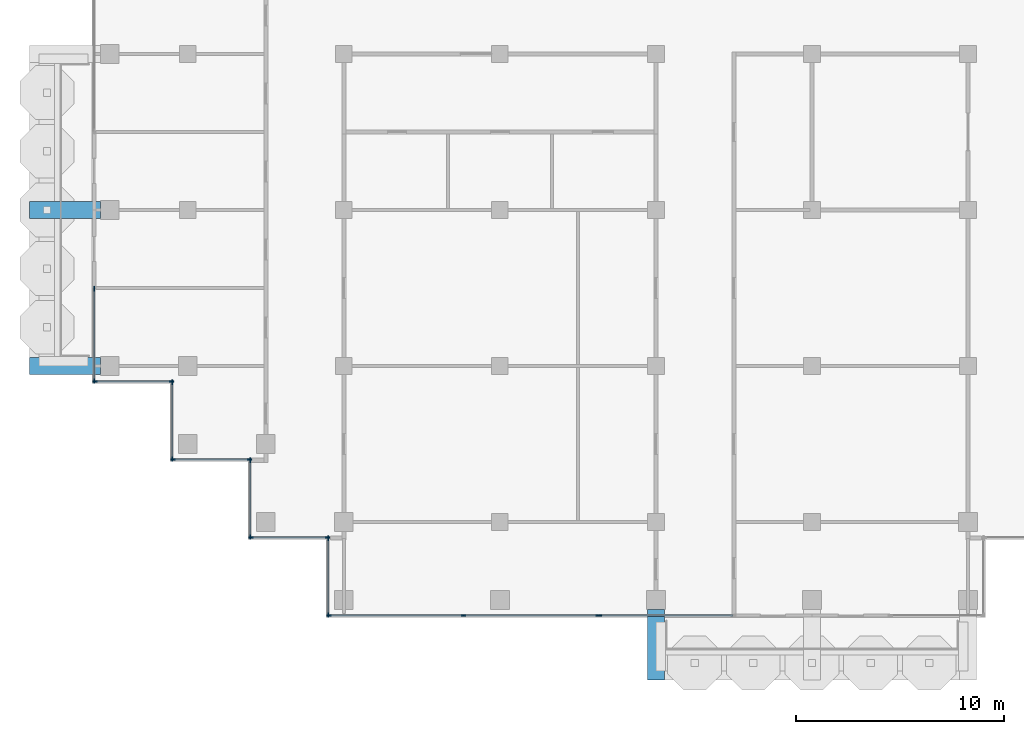
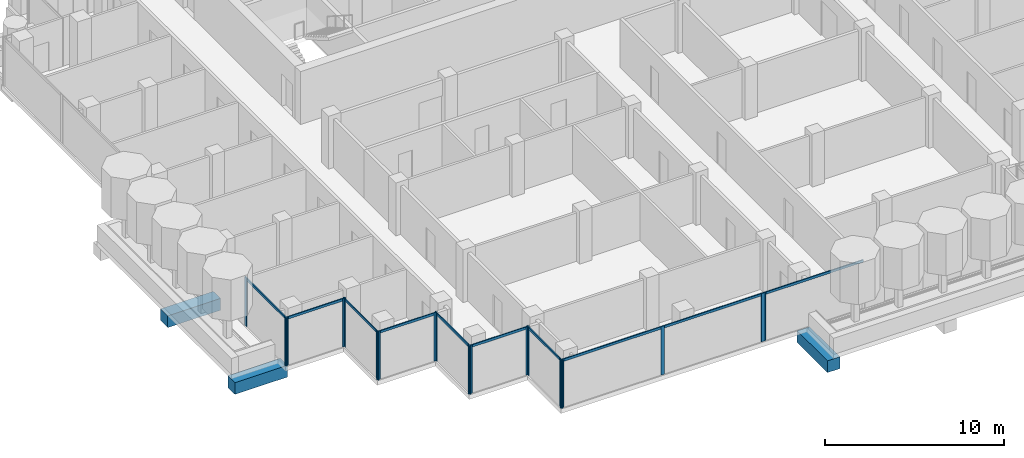
# One storey, part 2 of 19: 28 members, 3 beams, 9 elements without a shape of their own.
"""IFC4 building model written with IfcOpenShell, lengths in metres."""

import ifcopenshell
import ifcopenshell.guid

model = None  # the IFC model being written
_history = None  # IfcOwnerHistory: only IFC2X3 demands one
_inside = {}  # id of a spatial element -> (the spatial element, [elements in it])
_under = {}  # id of a project, library or spatial element -> (it, [spatial elements below it])
_declared = {}  # id of a project -> (the project, [libraries it declares])
_typed = {}  # id of a type object -> (the type object, [elements of that type])
_made_of = {}  # id of a material, layer set ... -> (it, [elements and type objects made of it])


def new_model(schema):
    """Start an empty IFC model of exactly this schema.

    Asked for "IFC4X3", IfcOpenShell would pick the latest addendum, in which some entities
    have other attributes; the version numbers below select the first issue.
    IFC2X3 requires an IfcOwnerHistory on every rooted entity: one is made here for all.
    """
    global model, _history
    if schema == "IFC4X3":
        model = ifcopenshell.file(schema_version=(4, 3, 0, 0))
    else:
        model = ifcopenshell.file(schema=schema)
    _inside.clear()
    _under.clear()
    _declared.clear()
    _typed.clear()
    _made_of.clear()
    _history = None
    if model.schema == "IFC2X3":
        org = make("IfcOrganization", Name="unknown")
        user = make(
            "IfcPersonAndOrganization",
            ThePerson=make("IfcPerson", FamilyName="unknown"),
            TheOrganization=org,
        )
        app = make(
            "IfcApplication",
            ApplicationDeveloper=org,
            Version="unknown",
            ApplicationFullName="unknown",
            ApplicationIdentifier="unknown",
        )
        _history = make(
            "IfcOwnerHistory",
            OwningUser=user,
            OwningApplication=app,
            ChangeAction="ADDED",
            CreationDate=0,
        )
    return model


def make(cls, **values):
    """One entity of the class cls with the attributes given. An attribute that is None is left unset."""
    return model.create_entity(
        cls, **{name: value for name, value in values.items() if value is not None}
    )


def rooted(cls, **values):
    """An entity with a GlobalId (a new one), such as an element, a storey or a relation."""
    return make(cls, GlobalId=ifcopenshell.guid.new(), OwnerHistory=_history, **values)


def si_unit(unit_type, name, prefix=None):
    """IfcSIUnit, for example si_unit("LENGTHUNIT", "METRE", prefix="MILLI")."""
    return make("IfcSIUnit", UnitType=unit_type, Prefix=prefix, Name=name)


def assignment(units):
    """IfcUnitAssignment: the units of a project."""
    return None if units is None else make("IfcUnitAssignment", Units=units)


def point(xyz):
    """IfcCartesianPoint."""
    return None if xyz is None else make("IfcCartesianPoint", Coordinates=xyz)


def direction(xyz):
    """IfcDirection."""
    return None if xyz is None else make("IfcDirection", DirectionRatios=xyz)


def frame(location, z_axis=None, x_axis=None):
    """IfcAxis2Placement3D, a coordinate frame: its origin and axes. An axis left out is left unset."""
    return make(
        "IfcAxis2Placement3D",
        Location=point(location),
        Axis=direction(z_axis),
        RefDirection=direction(x_axis),
    )


def frame_2d(location, x_axis=None):
    """IfcAxis2Placement2D, a coordinate frame in the plane: its origin and x axis."""
    return make(
        "IfcAxis2Placement2D", Location=point(location), RefDirection=direction(x_axis)
    )


def origin():
    """The frame at (0, 0, 0) with its axes left unset."""
    return frame((0.0, 0.0, 0.0))


def origin_2d():
    """The frame at (0, 0) in the plane with its x axis left unset."""
    return frame_2d((0.0, 0.0))


def place(relative_to, where):
    """IfcLocalPlacement: puts the frame where relative to a parent placement (None: the world)."""
    return make(
        "IfcLocalPlacement", PlacementRelTo=relative_to, RelativePlacement=where
    )


def context(
    kind, dimensions, precision=None, world=None, true_north=None, identifier=None
):
    """IfcGeometricRepresentationContext, for example the 3D "Model" context."""
    return make(
        "IfcGeometricRepresentationContext",
        ContextIdentifier=identifier,
        ContextType=kind,
        CoordinateSpaceDimension=dimensions,
        Precision=precision,
        WorldCoordinateSystem=world,
        TrueNorth=true_north,
    )


def subcontext(parent, identifier, kind, view, scale=None):
    """IfcGeometricRepresentationSubContext, for example "Body" below "Model"."""
    return make(
        "IfcGeometricRepresentationSubContext",
        ContextIdentifier=identifier,
        ContextType=kind,
        ParentContext=parent,
        TargetScale=scale,
        TargetView=view,
    )


def project(units=None, contexts=None):
    """IfcProject with its units and contexts."""
    return rooted(
        "IfcProject",
        Name="project",
        RepresentationContexts=contexts,
        UnitsInContext=assignment(units),
    )


def spatial(cls, under=None, at=None, **own):
    """A site, building, storey or space (cls), placed at a placement, below another one or the project."""
    s = rooted(cls, ObjectPlacement=at, **own)
    if under is not None:
        _under.setdefault(under.id(), (under, []))[1].append(s)
    return s


def profile(cls, at=None, kind="AREA", **sizes):
    """A parametric profile (cls). Its sizes go by their IFC names, for example OverallWidth=200.0."""
    return make(cls, ProfileType=kind, Position=at, **sizes)


def rectangle(**sizes):
    """IfcRectangleProfileDef."""
    return profile("IfcRectangleProfileDef", **sizes)


def extrude(swept, where, along, depth):
    """IfcExtrudedAreaSolid: the profile swept, set in the frame where, extruded along a direction by depth."""
    return make(
        "IfcExtrudedAreaSolid",
        SweptArea=swept,
        Position=where,
        ExtrudedDirection=direction(along),
        Depth=depth,
    )


def shape(context_of_items, identifier, shape_type, items):
    """IfcShapeRepresentation: the items that make up one representation, for example the "Body"."""
    return make(
        "IfcShapeRepresentation",
        ContextOfItems=context_of_items,
        RepresentationIdentifier=identifier,
        RepresentationType=shape_type,
        Items=items,
    )


def material(Name=None, Category=None):
    """IfcMaterial."""
    return make("IfcMaterial", Name=Name, Category=Category)


def material_profile(
    of_material, cross_section, Name=None, Category=None, Priority=None
):
    """IfcMaterialProfile: a cross section and its material."""
    return make(
        "IfcMaterialProfile",
        Name=Name,
        Material=of_material,
        Profile=cross_section,
        Priority=Priority,
        Category=Category,
    )


def profile_set(profiles, Name=None, composite=None):
    """IfcMaterialProfileSet."""
    return make(
        "IfcMaterialProfileSet",
        Name=Name,
        MaterialProfiles=profiles,
        CompositeProfile=composite,
    )


def made_of(thing, what):
    """Note that an element or type object is made of a material, layer set ...; save() writes the relation."""
    if what is not None:
        _made_of.setdefault(what.id(), (what, []))[1].append(thing)
    return thing


def type_object(cls, material=None, **own):
    """A type object (cls), such as IfcWallType, which elements share."""
    return made_of(rooted(cls, **own), material)


def element(
    cls,
    number,
    at=None,
    inside=None,
    cuts=None,
    type_object=None,
    material=None,
    context=None,
    identifier="Body",
    shape_type=None,
    held_by="IfcProductDefinitionShape",
    body=None,
    shapes=None,
    **own,
):
    """One element of the class cls, such as IfcWall. Its Tag is "e" and its number.

    at: its placement. inside: the storey or other place that contains it. cuts: it is an
    opening in that element (IfcRelVoidsElement). A single representation is given by context,
    identifier, shape_type and body (its items); several are given by shapes. held_by: the class
    of the entity that holds the representations. save() writes the other relations.
    """
    e = rooted(cls, Tag="e%d" % number, ObjectPlacement=at, **own)
    if body is not None:
        shapes = [shape(context, identifier, shape_type, body)]
    if shapes is not None:
        e.Representation = make(held_by, Representations=shapes)
    if inside is not None:
        _inside.setdefault(inside.id(), (inside, []))[1].append(e)
    if cuts is not None:
        rooted(
            "IfcRelVoidsElement", RelatingBuildingElement=cuts, RelatedOpeningElement=e
        )
    if type_object is not None:
        _typed.setdefault(type_object.id(), (type_object, []))[1].append(e)
    return made_of(e, material)


def aggregate(whole, parts):
    """IfcRelAggregates: a whole, such as a stair, and the parts it consists of."""
    return rooted("IfcRelAggregates", RelatingObject=whole, RelatedObjects=parts)


def save(model, path):
    """Write the relations noted so far, then the file.

    IfcRelAggregates (storeys below a building ...), IfcRelContainedInSpatialStructure (elements
    in a storey), IfcRelDefinesByType, IfcRelAssociatesMaterial and IfcRelDeclares: one each for
    every whole, place, type object, material and project.
    """
    for whole, parts in _under.values():
        aggregate(whole, parts)
    for where, things in _inside.values():
        rooted(
            "IfcRelContainedInSpatialStructure",
            RelatedElements=things,
            RelatingStructure=where,
        )
    for kind, things in _typed.values():
        rooted("IfcRelDefinesByType", RelatedObjects=things, RelatingType=kind)
    for what, things in _made_of.values():
        rooted("IfcRelAssociatesMaterial", RelatedObjects=things, RelatingMaterial=what)
    for by, libraries in _declared.values():
        rooted("IfcRelDeclares", RelatingContext=by, RelatedDefinitions=libraries)
    model.write(path)


model = new_model("IFC4")

# Units and contexts
model_context = context("Model", 3, precision=1e-05, world=origin(), true_north=direction((0.0, 1.0)))
body_context = subcontext(model_context, "Body", "Model", "MODEL_VIEW")
ifc_project = project(units=[si_unit("LENGTHUNIT", "METRE"), si_unit("AREAUNIT", "SQUARE_METRE"), si_unit("VOLUMEUNIT", "CUBIC_METRE"), si_unit("PLANEANGLEUNIT", "RADIAN"), si_unit("MASSUNIT", "GRAM", prefix="KILO")], contexts=[model_context])

# Site, building, storey
site_placement = place(None, origin())
site = spatial("IfcSite", under=ifc_project, at=site_placement, CompositionType="ELEMENT")
building_placement = place(site_placement, origin())
building = spatial("IfcBuilding", under=site, at=building_placement, Name="Pilkhan Gate Tower", CompositionType="ELEMENT")
storey_placement = place(building_placement, frame((0.0, 0.0, 246.300048828125)))
storey = spatial("IfcBuildingStorey", under=building, at=storey_placement, Name="L64", CompositionType="ELEMENT", Elevation=246.300048828125)

# Beams
ifc_material_1 = material(Name="Concrete C50/60", Category="concrete")
ifc_material_profile_1 = material_profile(ifc_material_1, rectangle(XDim=0.800048828125, YDim=0.800048828125, at=origin_2d()), Name="RC 800x800")
ifc_profile_set_1 = profile_set([ifc_material_profile_1], Name="Concrete C50/60")
beam_type = type_object("IfcBeamType", Name="Cantilever beam CB2 RC 800x800 C50/60", PredefinedType="BEAM", material=ifc_profile_set_1)
for number, where, z_axis, x_axis, name in (
    (1, (75.0, 40.800048828125, -0.699951171875), (0.0, -1.0, 0.0), (1.0, 0.0, 0.0), "Balcony beam S.1 L64"),
    (2, (48.300048828125, 52.5, -0.699951171875), (-1.0, 0.0, 0.0), (0.0, -1.0, 0.0), "Balcony beam W.1 L64"),
    (3, (48.300048828125, 60.0, -0.699951171875), (-1.0, 0.0, 0.0), (0.0, -1.0, 0.0), "Balcony beam W.2 L64"),
):
    element("IfcBeam", number, at=place(storey_placement, frame(where, z_axis=z_axis, x_axis=x_axis)), inside=storey, type_object=beam_type, Name=name, PredefinedType="BEAM", context=body_context, shape_type="SweptSolid", body=[
        extrude(rectangle(XDim=0.800048828125, YDim=0.800048828125, at=origin_2d()), origin(), (0.0, 0.0, 1.0), 3.400146484375),
    ])

# Curtain wall, members
ifc_material_2 = material(Name="Pale anodised aluminium, clear low-iron double glazing", Category="aluminium")
curtain_wall_type = type_object("IfcCurtainWallType", Name="Office unitised curtain wall CW-O2", PredefinedType="USERDEFINED", material=ifc_material_2)
curtain_wall_1_placement = place(storey_placement, origin())
curtain_wall_1 = element("IfcCurtainWall", 4, at=curtain_wall_1_placement, inside=storey, type_object=curtain_wall_type, Name="Office unitised curtain wall CW-O2 L64 W", ObjectType="UNITISED CURTAIN WALL", PredefinedType="USERDEFINED")
ifc_material_3 = material(Name="Pale anodised aluminium", Category="aluminium")
ifc_material_profile_2 = material_profile(ifc_material_3, rectangle(XDim=0.06494140625, YDim=0.22509765625, at=origin_2d()), Name="Mullion 225x65")
ifc_profile_set_2 = profile_set([ifc_material_profile_2], Name="Pale anodised aluminium")
member_type_1 = type_object("IfcMemberType", Name="Mullion CW-O2 225x65", PredefinedType="MULLION", material=ifc_profile_set_2)
member_1_placement = place(storey_placement, frame((48.0, 51.782470703125, 0.0), z_axis=(0.0, 0.0, 1.0), x_axis=(-1.0, 0.0, 0.0)))
member_1 = element("IfcMember", 5, at=member_1_placement, type_object=member_type_1, Name="CW-O2 mullion 1", PredefinedType="MULLION", context=body_context, shape_type="SweptSolid", body=[
    extrude(rectangle(XDim=0.06494140625, YDim=0.22509765625, at=origin_2d()), origin(), (0.0, 0.0, 1.0), 3.300048828125),
])
member_2_placement = place(storey_placement, frame((48.0, 56.217529296875, 0.0), z_axis=(0.0, 0.0, 1.0), x_axis=(-1.0, 0.0, 0.0)))
member_2 = element("IfcMember", 6, at=member_2_placement, type_object=member_type_1, Name="CW-O2 mullion 2", PredefinedType="MULLION", context=body_context, shape_type="SweptSolid", body=[
    extrude(rectangle(XDim=0.06494140625, YDim=0.22509765625, at=origin_2d()), origin(), (0.0, 0.0, 1.0), 3.300048828125),
])

curtain_wall_2_placement = place(storey_placement, origin())
curtain_wall_2 = element("IfcCurtainWall", 7, at=curtain_wall_2_placement, inside=storey, type_object=curtain_wall_type, Name="Office unitised curtain wall CW-O2 L64 S", ObjectType="UNITISED CURTAIN WALL", PredefinedType="USERDEFINED")
member_3_placement = place(storey_placement, frame((48.032470703125, 51.75, 0.0), z_axis=(0.0, 0.0, 1.0), x_axis=(0.0, 1.0, 0.0)))
member_3 = element("IfcMember", 8, at=member_3_placement, type_object=member_type_1, Name="CW-O2 mullion 1", PredefinedType="MULLION", context=body_context, shape_type="SweptSolid", body=[
    extrude(rectangle(XDim=0.06494140625, YDim=0.22509765625, at=origin_2d()), origin(), (0.0, 0.0, 1.0), 3.300048828125),
])
member_4_placement = place(storey_placement, frame((51.717529296875, 51.75, 0.0), z_axis=(0.0, 0.0, 1.0), x_axis=(0.0, 1.0, 0.0)))
member_4 = element("IfcMember", 9, at=member_4_placement, type_object=member_type_1, Name="CW-O2 mullion 2", PredefinedType="MULLION", context=body_context, shape_type="SweptSolid", body=[
    extrude(rectangle(XDim=0.06494140625, YDim=0.22509765625, at=origin_2d()), origin(), (0.0, 0.0, 1.0), 3.300048828125),
])

curtain_wall_3_placement = place(storey_placement, origin())
curtain_wall_3 = element("IfcCurtainWall", 10, at=curtain_wall_3_placement, inside=storey, type_object=curtain_wall_type, Name="Office unitised curtain wall CW-O2 L64 W", ObjectType="UNITISED CURTAIN WALL", PredefinedType="USERDEFINED")
member_5_placement = place(storey_placement, frame((51.75, 48.032470703125, 0.0), z_axis=(0.0, 0.0, 1.0), x_axis=(-1.0, 0.0, 0.0)))
member_5 = element("IfcMember", 11, at=member_5_placement, type_object=member_type_1, Name="CW-O2 mullion 1", PredefinedType="MULLION", context=body_context, shape_type="SweptSolid", body=[
    extrude(rectangle(XDim=0.06494140625, YDim=0.22509765625, at=origin_2d()), origin(), (0.0, 0.0, 1.0), 3.300048828125),
])
member_6_placement = place(storey_placement, frame((51.75, 51.717529296875, 0.0), z_axis=(0.0, 0.0, 1.0), x_axis=(-1.0, 0.0, 0.0)))
member_6 = element("IfcMember", 12, at=member_6_placement, type_object=member_type_1, Name="CW-O2 mullion 2", PredefinedType="MULLION", context=body_context, shape_type="SweptSolid", body=[
    extrude(rectangle(XDim=0.06494140625, YDim=0.22509765625, at=origin_2d()), origin(), (0.0, 0.0, 1.0), 3.300048828125),
])

curtain_wall_4_placement = place(storey_placement, origin())
curtain_wall_4 = element("IfcCurtainWall", 13, at=curtain_wall_4_placement, inside=storey, type_object=curtain_wall_type, Name="Office unitised curtain wall CW-O2 L64 S", ObjectType="UNITISED CURTAIN WALL", PredefinedType="USERDEFINED")
member_7_placement = place(storey_placement, frame((51.782470703125, 48.0, 0.0), z_axis=(0.0, 0.0, 1.0), x_axis=(0.0, 1.0, 0.0)))
member_7 = element("IfcMember", 14, at=member_7_placement, type_object=member_type_1, Name="CW-O2 mullion 1", PredefinedType="MULLION", context=body_context, shape_type="SweptSolid", body=[
    extrude(rectangle(XDim=0.06494140625, YDim=0.22509765625, at=origin_2d()), origin(), (0.0, 0.0, 1.0), 3.300048828125),
])
member_8_placement = place(storey_placement, frame((55.467529296875, 48.0, 0.0), z_axis=(0.0, 0.0, 1.0), x_axis=(0.0, 1.0, 0.0)))
member_8 = element("IfcMember", 15, at=member_8_placement, type_object=member_type_1, Name="CW-O2 mullion 2", PredefinedType="MULLION", context=body_context, shape_type="SweptSolid", body=[
    extrude(rectangle(XDim=0.06494140625, YDim=0.22509765625, at=origin_2d()), origin(), (0.0, 0.0, 1.0), 3.300048828125),
])

curtain_wall_5_placement = place(storey_placement, origin())
curtain_wall_5 = element("IfcCurtainWall", 16, at=curtain_wall_5_placement, inside=storey, type_object=curtain_wall_type, Name="Office unitised curtain wall CW-O2 L64 W", ObjectType="UNITISED CURTAIN WALL", PredefinedType="USERDEFINED")
member_9_placement = place(storey_placement, frame((55.5, 44.282470703125, 0.0), z_axis=(0.0, 0.0, 1.0), x_axis=(-1.0, 0.0, 0.0)))
member_9 = element("IfcMember", 17, at=member_9_placement, type_object=member_type_1, Name="CW-O2 mullion 1", PredefinedType="MULLION", context=body_context, shape_type="SweptSolid", body=[
    extrude(rectangle(XDim=0.06494140625, YDim=0.22509765625, at=origin_2d()), origin(), (0.0, 0.0, 1.0), 3.300048828125),
])
member_10_placement = place(storey_placement, frame((55.5, 47.967529296875, 0.0), z_axis=(0.0, 0.0, 1.0), x_axis=(-1.0, 0.0, 0.0)))
member_10 = element("IfcMember", 18, at=member_10_placement, type_object=member_type_1, Name="CW-O2 mullion 2", PredefinedType="MULLION", context=body_context, shape_type="SweptSolid", body=[
    extrude(rectangle(XDim=0.06494140625, YDim=0.22509765625, at=origin_2d()), origin(), (0.0, 0.0, 1.0), 3.300048828125),
])

curtain_wall_6_placement = place(storey_placement, origin())
curtain_wall_6 = element("IfcCurtainWall", 19, at=curtain_wall_6_placement, inside=storey, type_object=curtain_wall_type, Name="Office unitised curtain wall CW-O2 L64 S", ObjectType="UNITISED CURTAIN WALL", PredefinedType="USERDEFINED")
member_11_placement = place(storey_placement, frame((55.532470703125, 44.25, 0.0), z_axis=(0.0, 0.0, 1.0), x_axis=(0.0, 1.0, 0.0)))
member_11 = element("IfcMember", 20, at=member_11_placement, type_object=member_type_1, Name="CW-O2 mullion 1", PredefinedType="MULLION", context=body_context, shape_type="SweptSolid", body=[
    extrude(rectangle(XDim=0.06494140625, YDim=0.22509765625, at=origin_2d()), origin(), (0.0, 0.0, 1.0), 3.300048828125),
])
member_12_placement = place(storey_placement, frame((59.217529296875, 44.25, 0.0), z_axis=(0.0, 0.0, 1.0), x_axis=(0.0, 1.0, 0.0)))
member_12 = element("IfcMember", 21, at=member_12_placement, type_object=member_type_1, Name="CW-O2 mullion 2", PredefinedType="MULLION", context=body_context, shape_type="SweptSolid", body=[
    extrude(rectangle(XDim=0.06494140625, YDim=0.22509765625, at=origin_2d()), origin(), (0.0, 0.0, 1.0), 3.300048828125),
])

curtain_wall_7_placement = place(storey_placement, origin())
curtain_wall_7 = element("IfcCurtainWall", 22, at=curtain_wall_7_placement, inside=storey, type_object=curtain_wall_type, Name="Office unitised curtain wall CW-O2 L64 W", ObjectType="UNITISED CURTAIN WALL", PredefinedType="USERDEFINED")
member_13_placement = place(storey_placement, frame((59.25, 40.532470703125, 0.0), z_axis=(0.0, 0.0, 1.0), x_axis=(-1.0, 0.0, 0.0)))
member_13 = element("IfcMember", 23, at=member_13_placement, type_object=member_type_1, Name="CW-O2 mullion 1", PredefinedType="MULLION", context=body_context, shape_type="SweptSolid", body=[
    extrude(rectangle(XDim=0.06494140625, YDim=0.22509765625, at=origin_2d()), origin(), (0.0, 0.0, 1.0), 3.300048828125),
])
member_14_placement = place(storey_placement, frame((59.25, 44.217529296875, 0.0), z_axis=(0.0, 0.0, 1.0), x_axis=(-1.0, 0.0, 0.0)))
member_14 = element("IfcMember", 24, at=member_14_placement, type_object=member_type_1, Name="CW-O2 mullion 2", PredefinedType="MULLION", context=body_context, shape_type="SweptSolid", body=[
    extrude(rectangle(XDim=0.06494140625, YDim=0.22509765625, at=origin_2d()), origin(), (0.0, 0.0, 1.0), 3.300048828125),
])

curtain_wall_8_placement = place(storey_placement, origin())
curtain_wall_8 = element("IfcCurtainWall", 25, at=curtain_wall_8_placement, inside=storey, type_object=curtain_wall_type, Name="Office unitised curtain wall CW-O2 L64 S", ObjectType="UNITISED CURTAIN WALL", PredefinedType="USERDEFINED")
member_15_placement = place(storey_placement, frame((59.282470703125, 40.5, 0.0), z_axis=(0.0, 0.0, 1.0), x_axis=(0.0, 1.0, 0.0)))
member_15 = element("IfcMember", 26, at=member_15_placement, type_object=member_type_1, Name="CW-O2 mullion 1", PredefinedType="MULLION", context=body_context, shape_type="SweptSolid", body=[
    extrude(rectangle(XDim=0.06494140625, YDim=0.22509765625, at=origin_2d()), origin(), (0.0, 0.0, 1.0), 3.300048828125),
])
member_16_placement = place(storey_placement, frame((65.75, 40.5, 0.0), z_axis=(0.0, 0.0, 1.0), x_axis=(0.0, 1.0, 0.0)))
member_16 = element("IfcMember", 27, at=member_16_placement, type_object=member_type_1, Name="CW-O2 mullion 2", PredefinedType="MULLION", context=body_context, shape_type="SweptSolid", body=[
    extrude(rectangle(XDim=0.06494140625, YDim=0.22509765625, at=origin_2d()), origin(), (0.0, 0.0, 1.0), 3.300048828125),
])
member_17_placement = place(storey_placement, frame((72.217529296875, 40.5, 0.0), z_axis=(0.0, 0.0, 1.0), x_axis=(0.0, 1.0, 0.0)))
member_17 = element("IfcMember", 28, at=member_17_placement, type_object=member_type_1, Name="CW-O2 mullion 3", PredefinedType="MULLION", context=body_context, shape_type="SweptSolid", body=[
    extrude(rectangle(XDim=0.06494140625, YDim=0.22509765625, at=origin_2d()), origin(), (0.0, 0.0, 1.0), 3.300048828125),
])

# Curtain wall, member
curtain_wall_9_placement = place(storey_placement, origin())
curtain_wall_9 = element("IfcCurtainWall", 29, at=curtain_wall_9_placement, inside=storey, type_object=curtain_wall_type, Name="Office unitised curtain wall CW-O2 L64 S", ObjectType="UNITISED CURTAIN WALL", PredefinedType="USERDEFINED")
member_18_placement = place(storey_placement, frame((72.282470703125, 40.5, 0.0), z_axis=(0.0, 0.0, 1.0), x_axis=(0.0, 1.0, 0.0)))
member_18 = element("IfcMember", 30, at=member_18_placement, type_object=member_type_1, Name="CW-O2 mullion 1", PredefinedType="MULLION", context=body_context, shape_type="SweptSolid", body=[
    extrude(rectangle(XDim=0.06494140625, YDim=0.22509765625, at=origin_2d()), origin(), (0.0, 0.0, 1.0), 3.300048828125),
])

# Member
ifc_material_profile_3 = material_profile(ifc_material_3, rectangle(XDim=0.06494140625, YDim=0.1650390625, at=origin_2d()), Name="Transom 165x65")
ifc_profile_set_3 = profile_set([ifc_material_profile_3], Name="Pale anodised aluminium")
member_type_2 = type_object("IfcMemberType", Name="Transom CW-O2 165x65", PredefinedType="USERDEFINED", material=ifc_profile_set_3)
member_19_placement = place(storey_placement, frame((48.0, 51.81494140625, 3.217529296875), z_axis=(0.0, 1.0, 0.0), x_axis=(-1.0, 0.0, 0.0)))
member_19 = element("IfcMember", 31, at=member_19_placement, type_object=member_type_2, Name="CW-O2 transom 1", ObjectType="TRANSOM", PredefinedType="USERDEFINED", context=body_context, shape_type="SweptSolid", body=[
    extrude(rectangle(XDim=0.06494140625, YDim=0.1650390625, at=origin_2d()), origin(), (0.0, 0.0, 1.0), 4.3701171875),
])

aggregate(curtain_wall_1, [member_1, member_2, member_19])

member_20_placement = place(storey_placement, frame((48.06494140625, 51.75, 3.217529296875), z_axis=(1.0, 0.0, 0.0), x_axis=(0.0, 1.0, 0.0)))
member_20 = element("IfcMember", 32, at=member_20_placement, type_object=member_type_2, Name="CW-O2 transom 1", ObjectType="TRANSOM", PredefinedType="USERDEFINED", context=body_context, shape_type="SweptSolid", body=[
    extrude(rectangle(XDim=0.06494140625, YDim=0.1650390625, at=origin_2d()), origin(), (0.0, 0.0, 1.0), 3.6201171875),
])

aggregate(curtain_wall_2, [member_3, member_4, member_20])

member_21_placement = place(storey_placement, frame((51.75, 48.06494140625, 3.217529296875), z_axis=(0.0, 1.0, 0.0), x_axis=(-1.0, 0.0, 0.0)))
member_21 = element("IfcMember", 33, at=member_21_placement, type_object=member_type_2, Name="CW-O2 transom 1", ObjectType="TRANSOM", PredefinedType="USERDEFINED", context=body_context, shape_type="SweptSolid", body=[
    extrude(rectangle(XDim=0.06494140625, YDim=0.1650390625, at=origin_2d()), origin(), (0.0, 0.0, 1.0), 3.6201171875),
])

aggregate(curtain_wall_3, [member_5, member_6, member_21])

member_22_placement = place(storey_placement, frame((51.81494140625, 48.0, 3.217529296875), z_axis=(1.0, 0.0, 0.0), x_axis=(0.0, 1.0, 0.0)))
member_22 = element("IfcMember", 34, at=member_22_placement, type_object=member_type_2, Name="CW-O2 transom 1", ObjectType="TRANSOM", PredefinedType="USERDEFINED", context=body_context, shape_type="SweptSolid", body=[
    extrude(rectangle(XDim=0.06494140625, YDim=0.1650390625, at=origin_2d()), origin(), (0.0, 0.0, 1.0), 3.6201171875),
])

aggregate(curtain_wall_4, [member_7, member_8, member_22])

member_23_placement = place(storey_placement, frame((55.5, 44.31494140625, 3.217529296875), z_axis=(0.0, 1.0, 0.0), x_axis=(-1.0, 0.0, 0.0)))
member_23 = element("IfcMember", 35, at=member_23_placement, type_object=member_type_2, Name="CW-O2 transom 1", ObjectType="TRANSOM", PredefinedType="USERDEFINED", context=body_context, shape_type="SweptSolid", body=[
    extrude(rectangle(XDim=0.06494140625, YDim=0.1650390625, at=origin_2d()), origin(), (0.0, 0.0, 1.0), 3.6201171875),
])

aggregate(curtain_wall_5, [member_9, member_10, member_23])

member_24_placement = place(storey_placement, frame((55.56494140625, 44.25, 3.217529296875), z_axis=(1.0, 0.0, 0.0), x_axis=(0.0, 1.0, 0.0)))
member_24 = element("IfcMember", 36, at=member_24_placement, type_object=member_type_2, Name="CW-O2 transom 1", ObjectType="TRANSOM", PredefinedType="USERDEFINED", context=body_context, shape_type="SweptSolid", body=[
    extrude(rectangle(XDim=0.06494140625, YDim=0.1650390625, at=origin_2d()), origin(), (0.0, 0.0, 1.0), 3.6201171875),
])

aggregate(curtain_wall_6, [member_11, member_12, member_24])

member_25_placement = place(storey_placement, frame((59.25, 40.56494140625, 3.217529296875), z_axis=(0.0, 1.0, 0.0), x_axis=(-1.0, 0.0, 0.0)))
member_25 = element("IfcMember", 37, at=member_25_placement, type_object=member_type_2, Name="CW-O2 transom 1", ObjectType="TRANSOM", PredefinedType="USERDEFINED", context=body_context, shape_type="SweptSolid", body=[
    extrude(rectangle(XDim=0.06494140625, YDim=0.1650390625, at=origin_2d()), origin(), (0.0, 0.0, 1.0), 3.6201171875),
])

aggregate(curtain_wall_7, [member_13, member_14, member_25])

member_26_placement = place(storey_placement, frame((59.31494140625, 40.5, 3.217529296875), z_axis=(1.0, 0.0, 0.0), x_axis=(0.0, 1.0, 0.0)))
member_26 = element("IfcMember", 38, at=member_26_placement, type_object=member_type_2, Name="CW-O2 transom 1", ObjectType="TRANSOM", PredefinedType="USERDEFINED", context=body_context, shape_type="SweptSolid", body=[
    extrude(rectangle(XDim=0.06494140625, YDim=0.1650390625, at=origin_2d()), origin(), (0.0, 0.0, 1.0), 6.402587890625),
])

member_27_placement = place(storey_placement, frame((65.782470703125, 40.5, 3.217529296875), z_axis=(1.0, 0.0, 0.0), x_axis=(0.0, 1.0, 0.0)))
member_27 = element("IfcMember", 39, at=member_27_placement, type_object=member_type_2, Name="CW-O2 transom 2", ObjectType="TRANSOM", PredefinedType="USERDEFINED", context=body_context, shape_type="SweptSolid", body=[
    extrude(rectangle(XDim=0.06494140625, YDim=0.1650390625, at=origin_2d()), origin(), (0.0, 0.0, 1.0), 6.402587890625),
])

aggregate(curtain_wall_8, [member_15, member_16, member_17, member_26, member_27])

member_28_placement = place(storey_placement, frame((72.31494140625, 40.5, 3.217529296875), z_axis=(1.0, 0.0, 0.0), x_axis=(0.0, 1.0, 0.0)))
member_28 = element("IfcMember", 40, at=member_28_placement, type_object=member_type_2, Name="CW-O2 transom 1", ObjectType="TRANSOM", PredefinedType="USERDEFINED", context=body_context, shape_type="SweptSolid", body=[
    extrude(rectangle(XDim=0.06494140625, YDim=0.1650390625, at=origin_2d()), origin(), (0.0, 0.0, 1.0), 6.3701171875),
])

aggregate(curtain_wall_9, [member_18, member_28])

save(model, "model.ifc")
